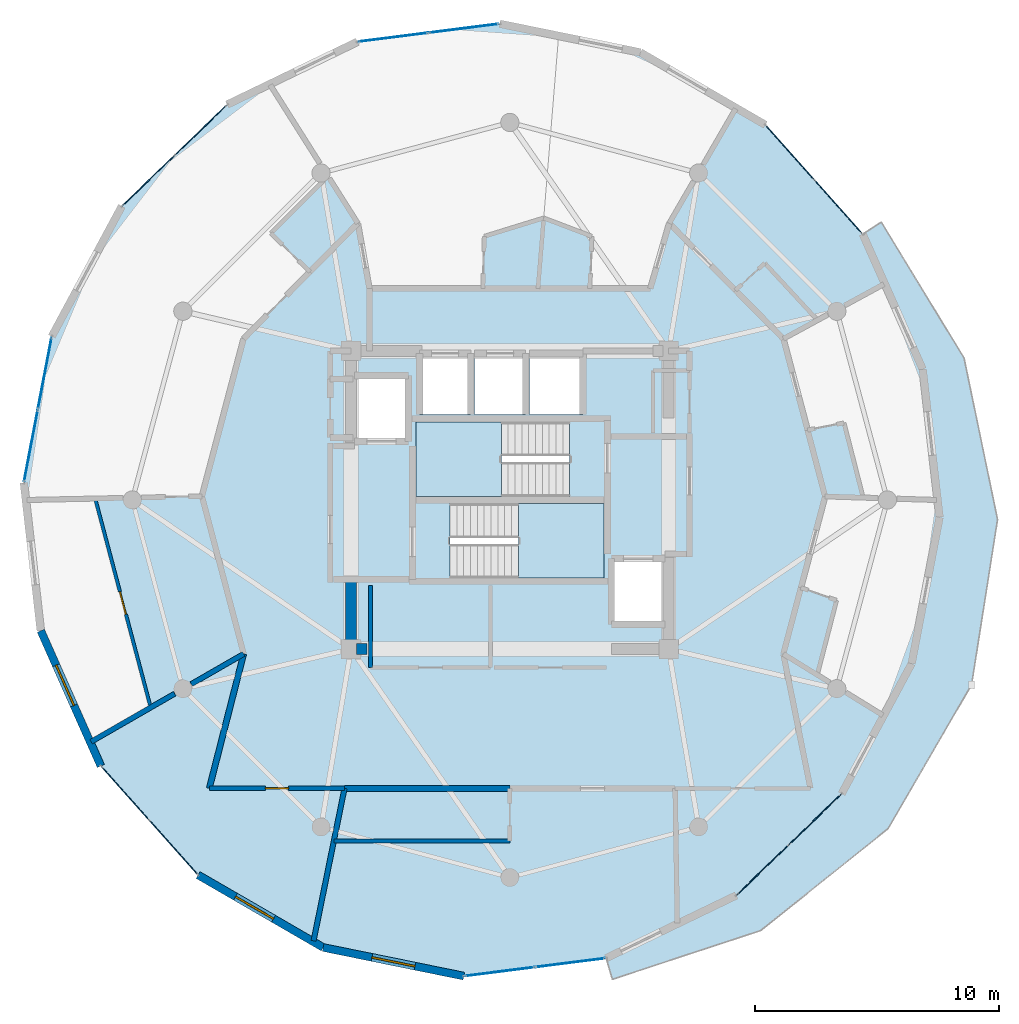
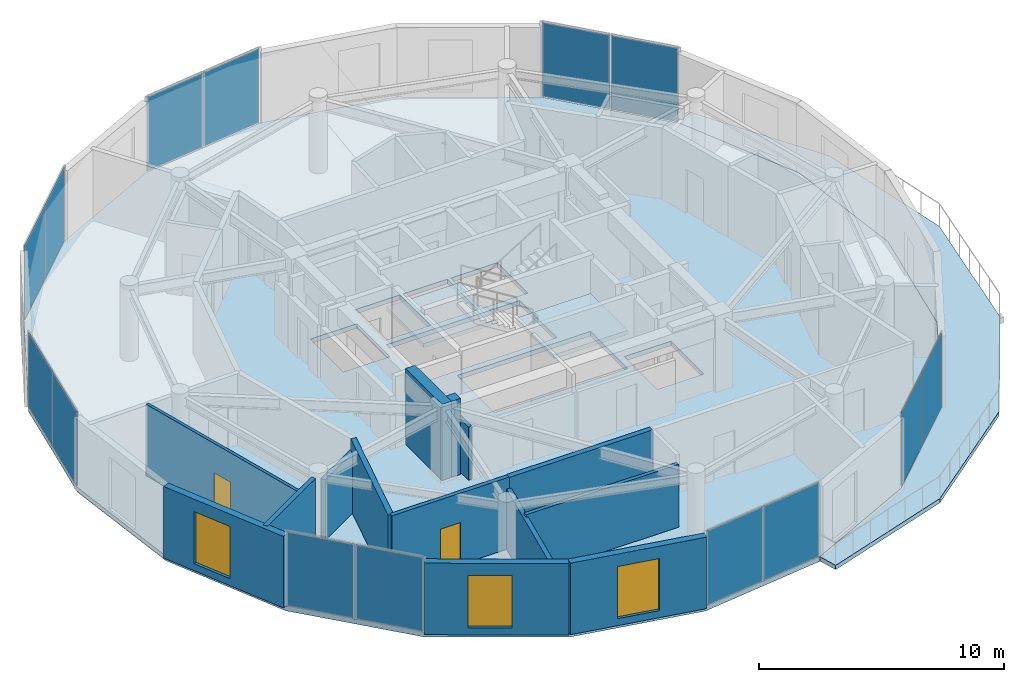
# One storey, part 17 of 23: 14 plates, 14 walls, 4 slabs, 3 windows, 2 doors, 5 openings, 9 elements without a shape of their own.
"""IFC4 building model written with IfcOpenShell, lengths in metres."""

from ifc_helpers import new_model, si_unit, direction, frame, frame_2d, origin, origin_2d, place, context, subcontext, project, spatial, polyline, rectangle, outline, extrude, source, transform, mapped, material, layer, layer_set, type_object, element, fill, aggregate, save


model = new_model("IFC4")

# Units and contexts
model_context = context("Model", 3, precision=1e-05, world=origin(), true_north=direction((0.0, 1.0)))
body_context = subcontext(model_context, "Body", "Model", "MODEL_VIEW")
ifc_project = project(units=[si_unit("LENGTHUNIT", "METRE"), si_unit("AREAUNIT", "SQUARE_METRE"), si_unit("VOLUMEUNIT", "CUBIC_METRE"), si_unit("PLANEANGLEUNIT", "RADIAN"), si_unit("MASSUNIT", "GRAM", prefix="KILO")], contexts=[model_context])

# Site, building, storey
site_placement = place(None, origin())
site = spatial("IfcSite", under=ifc_project, at=site_placement, CompositionType="ELEMENT")
building_placement = place(site_placement, origin())
building = spatial("IfcBuilding", under=site, at=building_placement, Name="Solvirekh Grand Hotel", CompositionType="ELEMENT")
storey_placement = place(building_placement, frame((0.0, 0.0, 285.800048828125)))
storey = spatial("IfcBuildingStorey", under=building, at=storey_placement, Name="L74", CompositionType="ELEMENT", Elevation=285.800048828125)

# Slab
ifc_material_1 = material(Name="Concrete C50/60", Category="concrete")
ifc_layer_1 = layer(ifc_material_1, 0.215087890625)
ifc_layer_set_1 = layer_set([ifc_layer_1], Name="Concrete C50/60")
slab_type_1 = type_object("IfcSlabType", Name="ExtCrescentBalc_215", PredefinedType="FLOOR", material=ifc_layer_set_1)
slab_1_placement = place(storey_placement, frame((0.0, 0.0, -0.215087890625)))
element("IfcSlab", 1, at=slab_1_placement, inside=storey, type_object=slab_type_1, Name="L74 sweeping crescent balcony slab", PredefinedType="FLOOR", context=body_context, shape_type="SweptSolid", body=[
    extrude(outline(polyline([(4.197021484375, -19.614013671875), (10.27001953125, -17.614990234375), (15.468017578125, -13.4560546875), (18.89306640625, -7.56201171875), (19.95703125, -0.7958984375), (18.5859375, 5.80810546875), (15.197021484375, 11.368896484375), (14.43994140625, 10.882080078125), (16.89697265625, 5.34912109375), (17.5869140625, -0.70703125), (16.443115234375, -6.694091796875), (13.575927734375, -12.02490234375), (9.26904296875, -16.179931640625), (3.94091796875, -18.7509765625), (4.197021484375, -19.614013671875)])), origin(), (0.0, 0.0, 1.0), 0.215087890625),
])

# Stair, slab
ifc_material_2 = material(Name="Concrete C40/50", Category="concrete")
stair_type = type_object("IfcStairType", Name="Stair_Core_1450", PredefinedType="HALF_TURN_STAIR", material=ifc_material_2)
stair_1_placement = place(storey_placement, origin())
stair_1 = element("IfcStair", 2, at=stair_1_placement, inside=storey, type_object=stair_type, Name="L74 Enclosed exit stair ST-1", PredefinedType="HALF_TURN_STAIR")
ifc_layer_2 = layer(ifc_material_2, 0.199951171875)
ifc_layer_set_2 = layer_set([ifc_layer_2], Name="Concrete C40/50")
slab_type_2 = type_object("IfcSlabType", Name="Landing_Stair_200", PredefinedType="LANDING", material=ifc_layer_set_2)
slab_2_placement = place(storey_placement, frame((0.0, 0.0, 1.699951171875)))
slab_2 = element("IfcSlab", 3, at=slab_2_placement, type_object=slab_type_2, Name="ST-1 landing 1", PredefinedType="LANDING", context=body_context, shape_type="SweptSolid", body=[
    extrude(outline(polyline([(0.35009765625, -3.199951171875), (3.85009765625, -3.199951171875), (3.85009765625, -0.14990234375), (0.35009765625, -0.14990234375), (0.35009765625, -3.199951171875)])), origin(), (0.0, 0.0, 1.0), 0.199951171875),
])
aggregate(stair_1, [slab_2])

stair_2_placement = place(storey_placement, origin())
stair_2 = element("IfcStair", 4, at=stair_2_placement, inside=storey, type_object=stair_type, Name="L74 Enclosed exit stair ST-2", PredefinedType="HALF_TURN_STAIR")
slab_3_placement = place(storey_placement, frame((0.0, 0.0, 1.699951171875)))
slab_3 = element("IfcSlab", 5, at=slab_3_placement, type_object=slab_type_2, Name="ST-2 landing 1", PredefinedType="LANDING", context=body_context, shape_type="SweptSolid", body=[
    extrude(outline(polyline([(-0.35009765625, 3.199951171875), (-3.85009765625, 3.199951171875), (-3.85009765625, 0.14990234375), (-0.35009765625, 0.14990234375), (-0.35009765625, 3.199951171875)])), origin(), (0.0, 0.0, 1.0), 0.199951171875),
])
aggregate(stair_2, [slab_3])

# Slab
ifc_layer_3 = layer(ifc_material_2, 0.22998046875)
ifc_layer_set_3 = layer_set([ifc_layer_3], Name="Concrete C40/50")
slab_type_3 = type_object("IfcSlabType", Name="Slab_GuestZ4_230", PredefinedType="FLOOR", material=ifc_layer_set_3)
slab_4_placement = place(storey_placement, frame((0.0, 0.0, -0.22998046875)))
element("IfcSlab", 6, at=slab_4_placement, inside=storey, type_object=slab_type_3, Name="L74 structural floor slab", PredefinedType="FLOOR", context=body_context, shape_type="SweptSolid", body=[
    extrude(outline(polyline([(-1.885009765625, -19.486083984375), (3.94091796875, -18.7509765625), (9.26904296875, -16.179931640625), (13.575927734375, -12.02490234375), (16.443115234375, -6.694091796875), (17.5869140625, -0.70703125), (16.89697265625, 5.34912109375), (14.43994140625, 10.882080078125), (10.4580078125, 15.34912109375), (5.339111328125, 18.31396484375), (-0.4150390625, 19.486083984375), (-6.240966796875, 18.7509765625), (-11.569091796875, 16.179931640625), (-15.8759765625, 12.02490234375), (-18.742919921875, 6.694091796875), (-19.886962890625, 0.70703125), (-19.197021484375, -5.34912109375), (-16.739990234375, -10.882080078125), (-12.758056640625, -15.34912109375), (-7.638916015625, -18.31396484375), (-1.885009765625, -19.486083984375)]), holes=[polyline([(-2.444091796875, -0.14990234375), (3.85009765625, -0.14990234375), (3.85009765625, -3.199951171875), (-2.444091796875, -3.199951171875), (-2.444091796875, -0.14990234375)]), polyline([(2.444091796875, 0.14990234375), (-3.85009765625, 0.14990234375), (-3.85009765625, 3.199951171875), (2.444091796875, 3.199951171875), (2.444091796875, 0.14990234375)]), polyline([(-3.699951171875, 6.0), (-1.60009765625, 6.0), (-1.60009765625, 3.5), (-3.699951171875, 3.5), (-3.699951171875, 6.0)]), polyline([(-1.449951171875, 6.0), (0.64990234375, 6.0), (0.64990234375, 3.5), (-1.449951171875, 3.5), (-1.449951171875, 6.0)]), polyline([(0.800048828125, 6.0), (3.0, 6.0), (3.0, 3.5), (0.800048828125, 3.5), (0.800048828125, 6.0)]), polyline([(-6.35009765625, 5.10009765625), (-4.14990234375, 5.10009765625), (-4.14990234375, 2.39990234375), (-6.35009765625, 2.39990234375), (-6.35009765625, 5.10009765625)]), polyline([(4.14990234375, -2.39990234375), (6.35009765625, -2.39990234375), (6.35009765625, -5.10009765625), (4.14990234375, -5.10009765625), (4.14990234375, -2.39990234375)])]), origin(), (0.0, 0.0, 1.0), 0.22998046875),
])

# Curtain wall, plates
ifc_material_3 = material(Name="Anodized Bronze Aluminium 6063-T6", Category="aluminium")
ifc_layer_4 = layer(ifc_material_3, 0.159912109375)
ifc_layer_set_4 = layer_set([ifc_layer_4], Name="Anodized Bronze Aluminium 6063-T6")
curtain_wall_type = type_object("IfcCurtainWallType", Name="CW_Sys4_HighZoneFlushBronzeCW", PredefinedType="NOTDEFINED", material=ifc_layer_set_4)
curtain_wall_1_placement = place(storey_placement, origin())
curtain_wall_1 = element("IfcCurtainWall", 7, at=curtain_wall_1_placement, inside=storey, type_object=curtain_wall_type, Name="L74 unitised bronze-glass curtain wall CW-L74-C03", PredefinedType="NOTDEFINED")
ifc_material_4 = material(Name="Low-E Tinted Bronze Laminated Glass", Category="aluminium")
ifc_layer_5 = layer(ifc_material_4, 0.033935546875)
ifc_layer_set_5 = layer_set([ifc_layer_5], Name="Low-E Tinted Bronze Laminated Glass")
plate_type = type_object("IfcPlateType", Name="CWPanel_High_34", PredefinedType="CURTAIN_PANEL", material=ifc_layer_set_5)
shared_shape_1 = source(origin(), body_context, "Body", "SweptSolid", [
    extrude(rectangle(XDim=2.90234375, YDim=0.033935546875, at=origin_2d()), origin(), (0.0, 0.0, 1.0), 3.68994140625),
])
plate_1_placement = place(storey_placement, frame((10.3564453125, -15.130859375, 0.054931640625), z_axis=(0.0, 0.0, 1.0), x_axis=(0.719692199951, 0.694293264644, 0.0)))
plate_1 = element("IfcPlate", 8, at=plate_1_placement, type_object=plate_type, Name="U04 panel 1.1", PredefinedType="CURTAIN_PANEL", context=body_context, shape_type="MappedRepresentation", body=[
    mapped(shared_shape_1, transform((0.0, 0.0, 0.0), x_axis=(1.0, 0.0, 0.0), y_axis=(0.0, 1.0, 0.0), z_axis=(0.0, 0.0, 1.0), scale=1.0)),
])
plate_2_placement = place(storey_placement, frame((12.488525390625, -13.07421875, 0.054931640625), z_axis=(0.0, 0.0, 1.0), x_axis=(0.719692199951, 0.694293264644, 0.0)))
plate_2 = element("IfcPlate", 9, at=plate_2_placement, type_object=plate_type, Name="U04 panel 2.1", PredefinedType="CURTAIN_PANEL", context=body_context, shape_type="MappedRepresentation", body=[
    mapped(shared_shape_1, transform((0.0, 0.0, 0.0), x_axis=(1.0, 0.0, 0.0), y_axis=(0.0, 1.0, 0.0), z_axis=(0.0, 0.0, 1.0), scale=1.0)),
])
aggregate(curtain_wall_1, [plate_1, plate_2])

curtain_wall_2_placement = place(storey_placement, origin())
curtain_wall_2 = element("IfcCurtainWall", 10, at=curtain_wall_2_placement, inside=storey, type_object=curtain_wall_type, Name="L74 unitised bronze-glass curtain wall CW-L74-C13", PredefinedType="NOTDEFINED")
plate_3_placement = place(storey_placement, frame((-12.656494140625, 15.130859375, 0.054931640625), z_axis=(0.0, 0.0, 1.0), x_axis=(-0.719692199951, -0.694293264644, 0.0)))
plate_3 = element("IfcPlate", 11, at=plate_3_placement, type_object=plate_type, Name="U04 panel 1.1", PredefinedType="CURTAIN_PANEL", context=body_context, shape_type="MappedRepresentation", body=[
    mapped(shared_shape_1, transform((0.0, 0.0, 0.0), x_axis=(1.0, 0.0, 0.0), y_axis=(0.0, 1.0, 0.0), z_axis=(0.0, 0.0, 1.0), scale=1.0)),
])
plate_4_placement = place(storey_placement, frame((-14.78857421875, 13.07421875, 0.054931640625), z_axis=(0.0, 0.0, 1.0), x_axis=(-0.719692199951, -0.694293264644, 0.0)))
plate_4 = element("IfcPlate", 12, at=plate_4_placement, type_object=plate_type, Name="U04 panel 2.1", PredefinedType="CURTAIN_PANEL", context=body_context, shape_type="MappedRepresentation", body=[
    mapped(shared_shape_1, transform((0.0, 0.0, 0.0), x_axis=(1.0, 0.0, 0.0), y_axis=(0.0, 1.0, 0.0), z_axis=(0.0, 0.0, 1.0), scale=1.0)),
])
aggregate(curtain_wall_2, [plate_3, plate_4])

curtain_wall_3_placement = place(storey_placement, origin())
curtain_wall_3 = element("IfcCurtainWall", 13, at=curtain_wall_3_placement, inside=storey, type_object=curtain_wall_type, Name="L74 unitised bronze-glass curtain wall CW-L74-C01", PredefinedType="NOTDEFINED")
shared_shape_2 = source(origin(), body_context, "Body", "SweptSolid", [
    extrude(rectangle(XDim=2.84619140625, YDim=0.033935546875, at=origin_2d()), origin(), (0.0, 0.0, 1.0), 3.68994140625),
])
plate_5_placement = place(storey_placement, frame((-0.41357421875, -19.30029296875, 0.054931640625), z_axis=(0.0, 0.0, 1.0), x_axis=(0.992135755808, 0.125166457357, 0.0)))
plate_5 = element("IfcPlate", 14, at=plate_5_placement, type_object=plate_type, Name="U04 panel 1.1", PredefinedType="CURTAIN_PANEL", context=body_context, shape_type="MappedRepresentation", body=[
    mapped(shared_shape_2, transform((0.0, 0.0, 0.0), x_axis=(1.0, 0.0, 0.0), y_axis=(0.0, 1.0, 0.0), z_axis=(0.0, 0.0, 1.0), scale=1.0)),
])
plate_6_placement = place(storey_placement, frame((2.4697265625, -18.9365234375, 0.054931640625), z_axis=(0.0, 0.0, 1.0), x_axis=(0.992135755808, 0.125166457357, 0.0)))
plate_6 = element("IfcPlate", 15, at=plate_6_placement, type_object=plate_type, Name="U04 panel 2.1", PredefinedType="CURTAIN_PANEL", context=body_context, shape_type="MappedRepresentation", body=[
    mapped(shared_shape_2, transform((0.0, 0.0, 0.0), x_axis=(1.0, 0.0, 0.0), y_axis=(0.0, 1.0, 0.0), z_axis=(0.0, 0.0, 1.0), scale=1.0)),
])
aggregate(curtain_wall_3, [plate_5, plate_6])

curtain_wall_4_placement = place(storey_placement, origin())
curtain_wall_4 = element("IfcCurtainWall", 16, at=curtain_wall_4_placement, inside=storey, type_object=curtain_wall_type, Name="L74 unitised bronze-glass curtain wall CW-L74-C11", PredefinedType="NOTDEFINED")
plate_7_placement = place(storey_placement, frame((-1.886474609375, 19.30029296875, 0.054931640625), z_axis=(0.0, 0.0, 1.0), x_axis=(-0.992135755808, -0.125166457357, 0.0)))
plate_7 = element("IfcPlate", 17, at=plate_7_placement, type_object=plate_type, Name="U04 panel 1.1", PredefinedType="CURTAIN_PANEL", context=body_context, shape_type="MappedRepresentation", body=[
    mapped(shared_shape_2, transform((0.0, 0.0, 0.0), x_axis=(1.0, 0.0, 0.0), y_axis=(0.0, 1.0, 0.0), z_axis=(0.0, 0.0, 1.0), scale=1.0)),
])
plate_8_placement = place(storey_placement, frame((-4.76953125, 18.9365234375, 0.054931640625), z_axis=(0.0, 0.0, 1.0), x_axis=(-0.992135755808, -0.125166457357, 0.0)))
plate_8 = element("IfcPlate", 18, at=plate_8_placement, type_object=plate_type, Name="U04 panel 2.1", PredefinedType="CURTAIN_PANEL", context=body_context, shape_type="MappedRepresentation", body=[
    mapped(shared_shape_2, transform((0.0, 0.0, 0.0), x_axis=(1.0, 0.0, 0.0), y_axis=(0.0, 1.0, 0.0), z_axis=(0.0, 0.0, 1.0), scale=1.0)),
])
aggregate(curtain_wall_4, [plate_7, plate_8])

curtain_wall_5_placement = place(storey_placement, origin())
curtain_wall_5 = element("IfcCurtainWall", 19, at=curtain_wall_5_placement, inside=storey, type_object=curtain_wall_type, Name="L74 unitised bronze-glass curtain wall CW-L74-C08", PredefinedType="NOTDEFINED")
shared_shape_3 = source(origin(), body_context, "Body", "SweptSolid", [
    extrude(rectangle(XDim=2.902099609375, YDim=0.033935546875, at=origin_2d()), origin(), (0.0, 0.0, 1.0), 3.68994140625),
])
plate_9_placement = place(storey_placement, frame((13.4345703125, 12.010009765625, 0.054931640625), z_axis=(0.0, 0.0, 1.0), x_axis=(-0.665421135114, 0.746468159364, 0.0)))
plate_9 = element("IfcPlate", 20, at=plate_9_placement, type_object=plate_type, Name="U04 panel 1.1", PredefinedType="CURTAIN_PANEL", context=body_context, shape_type="MappedRepresentation", body=[
    mapped(shared_shape_3, transform((0.0, 0.0, 0.0), x_axis=(1.0, 0.0, 0.0), y_axis=(0.0, 1.0, 0.0), z_axis=(0.0, 0.0, 1.0), scale=1.0)),
])
plate_10_placement = place(storey_placement, frame((11.46337890625, 14.220947265625, 0.054931640625), z_axis=(0.0, 0.0, 1.0), x_axis=(-0.665421135114, 0.746468159364, 0.0)))
plate_10 = element("IfcPlate", 21, at=plate_10_placement, type_object=plate_type, Name="U04 panel 2.1", PredefinedType="CURTAIN_PANEL", context=body_context, shape_type="MappedRepresentation", body=[
    mapped(shared_shape_3, transform((0.0, 0.0, 0.0), x_axis=(1.0, 0.0, 0.0), y_axis=(0.0, 1.0, 0.0), z_axis=(0.0, 0.0, 1.0), scale=1.0)),
])
aggregate(curtain_wall_5, [plate_9, plate_10])

curtain_wall_6_placement = place(storey_placement, origin())
curtain_wall_6 = element("IfcCurtainWall", 22, at=curtain_wall_6_placement, inside=storey, type_object=curtain_wall_type, Name="L74 unitised bronze-glass curtain wall CW-L74-C18", PredefinedType="NOTDEFINED")
plate_11_placement = place(storey_placement, frame((-15.734619140625, -12.010009765625, 0.054931640625), z_axis=(0.0, 0.0, 1.0), x_axis=(0.665421135114, -0.746468159364, 0.0)))
plate_11 = element("IfcPlate", 23, at=plate_11_placement, type_object=plate_type, Name="U04 panel 1.1", PredefinedType="CURTAIN_PANEL", context=body_context, shape_type="MappedRepresentation", body=[
    mapped(shared_shape_3, transform((0.0, 0.0, 0.0), x_axis=(1.0, 0.0, 0.0), y_axis=(0.0, 1.0, 0.0), z_axis=(0.0, 0.0, 1.0), scale=1.0)),
])
plate_12_placement = place(storey_placement, frame((-13.763427734375, -14.220947265625, 0.054931640625), z_axis=(0.0, 0.0, 1.0), x_axis=(0.665421135114, -0.746468159364, 0.0)))
plate_12 = element("IfcPlate", 24, at=plate_12_placement, type_object=plate_type, Name="U04 panel 2.1", PredefinedType="CURTAIN_PANEL", context=body_context, shape_type="MappedRepresentation", body=[
    mapped(shared_shape_3, transform((0.0, 0.0, 0.0), x_axis=(1.0, 0.0, 0.0), y_axis=(0.0, 1.0, 0.0), z_axis=(0.0, 0.0, 1.0), scale=1.0)),
])
aggregate(curtain_wall_6, [plate_11, plate_12])

curtain_wall_7_placement = place(storey_placement, origin())
curtain_wall_7 = element("IfcCurtainWall", 25, at=curtain_wall_7_placement, inside=storey, type_object=curtain_wall_type, Name="L74 unitised bronze-glass curtain wall CW-L74-C15", PredefinedType="NOTDEFINED")
shared_shape_4 = source(origin(), body_context, "Body", "SweptSolid", [
    extrude(rectangle(XDim=2.957763671875, YDim=0.033935546875, at=origin_2d()), origin(), (0.0, 0.0, 1.0), 3.68994140625),
])
plate_13_placement = place(storey_placement, frame((-19.03173828125, 5.1826171875, 0.054931640625), z_axis=(0.0, 0.0, 1.0), x_axis=(-0.187685030778, -0.982229265101, 0.0)))
plate_13 = element("IfcPlate", 26, at=plate_13_placement, type_object=plate_type, Name="U04 panel 1.1", PredefinedType="CURTAIN_PANEL", context=body_context, shape_type="MappedRepresentation", body=[
    mapped(shared_shape_4, transform((0.0, 0.0, 0.0), x_axis=(1.0, 0.0, 0.0), y_axis=(0.0, 1.0, 0.0), z_axis=(0.0, 0.0, 1.0), scale=1.0)),
])
plate_14_placement = place(storey_placement, frame((-19.59814453125, 2.218505859375, 0.054931640625), z_axis=(0.0, 0.0, 1.0), x_axis=(-0.187685030778, -0.982229265101, 0.0)))
plate_14 = element("IfcPlate", 27, at=plate_14_placement, type_object=plate_type, Name="U04 panel 2.1", PredefinedType="CURTAIN_PANEL", context=body_context, shape_type="MappedRepresentation", body=[
    mapped(shared_shape_4, transform((0.0, 0.0, 0.0), x_axis=(1.0, 0.0, 0.0), y_axis=(0.0, 1.0, 0.0), z_axis=(0.0, 0.0, 1.0), scale=1.0)),
])
aggregate(curtain_wall_7, [plate_13, plate_14])

# Walls
ifc_layer_6 = layer(ifc_material_1, 0.449951171875)
ifc_layer_set_6 = layer_set([ifc_layer_6], Name="Concrete C50/60")
wall_type_1 = type_object("IfcWallType", Name="CoreWall_RC450", PredefinedType="SHEAR", material=ifc_layer_set_6)
wall_1_placement = place(storey_placement, frame((-6.27490234375, -6.10009765625, 0.0), z_axis=(0.0, 0.0, 1.0), x_axis=(1.0, 0.0, 0.0)))
element("IfcWall", 28, at=wall_1_placement, inside=storey, type_object=wall_type_1, Name="L74 core corner shear wall SW-S", PredefinedType="SHEAR", context=body_context, shape_type="SweptSolid", body=[
    extrude(rectangle(XDim=0.4248046875, YDim=0.449951171875, at=frame_2d((0.21240234375, 0.0))), origin(), (0.0, 0.0, 1.0), 3.800048828125),
])
wall_2_placement = place(storey_placement, frame((-6.5, -6.324951171875, 0.0), z_axis=(0.0, 0.0, 1.0), x_axis=(0.0, 1.0, 0.0)))
element("IfcWall", 29, at=wall_2_placement, inside=storey, type_object=wall_type_1, Name="L74 core corner shear wall WS-W", PredefinedType="SHEAR", context=body_context, shape_type="SweptSolid", body=[
    extrude(rectangle(XDim=2.974853515625, YDim=0.449951171875, at=frame_2d((1.4873046875, 0.0))), origin(), (0.0, 0.0, 1.0), 3.800048828125),
])

# Wall, opening, window
ifc_material_5 = material(Name="Precast concrete C45/55", Category="concrete")
ifc_layer_7 = layer(ifc_material_5, 0.320068359375)
ifc_layer_set_7 = layer_set([ifc_layer_7], Name="Precast concrete C45/55")
wall_type_2 = type_object("IfcWallType", Name="ExtLobbyWall_RC320", PredefinedType="SOLIDWALL", material=ifc_layer_set_7)
wall_3_placement = place(storey_placement, frame((-16.739990234375, -10.882080078125, 0.0), z_axis=(0.0, 0.0, 1.0), x_axis=(-0.405854076471, 0.913937891004, 0.0)))
wall_3 = element("IfcWall", 30, at=wall_3_placement, inside=storey, type_object=wall_type_2, Name="L74 exterior structural wall chord 17", PredefinedType="SOLIDWALL", context=body_context, shape_type="SweptSolid", body=[
    extrude(rectangle(XDim=6.053955078125, YDim=0.320068359375, at=frame_2d((3.02685546875, 0.0))), origin(), (0.0, 0.0, 1.0), 3.570068359375),
])
opening_1_placement = place(wall_3_placement, frame((2.708984375, 0.0, 0.35009765625)))
opening_1 = element("IfcOpeningElement", 31, at=opening_1_placement, cuts=wall_3, Name="Opening W02", PredefinedType="OPENING", context=body_context, shape_type="SweptSolid", body=[
    extrude(rectangle(XDim=1.800048828125, YDim=2.60009765625, at=frame_2d((0.89990234375, 1.300048828125))), frame((0.0, 0.169921875, 0.0), z_axis=(0.0, -1.0, 0.0), x_axis=(1.0, 0.0, 0.0)), (0.0, 0.0, 1.0), 0.340087890625),
])
window_type = type_object("IfcWindowType", Name="Win_LobbyExt_1800X2600", PartitioningType="SINGLE_PANEL", PredefinedType="WINDOW", material=ifc_material_4)
window_1_placement = place(opening_1_placement, origin())
window_1 = element("IfcWindow", 32, at=window_1_placement, inside=storey, type_object=window_type, Name="L74 panoramic bronze-framed window 17", OverallHeight=2.60009765625, OverallWidth=1.800048828125, PartitioningType="SINGLE_PANEL", PredefinedType="WINDOW", context=body_context, shape_type="SweptSolid", body=[
    extrude(rectangle(XDim=1.800048828125, YDim=2.60009765625, at=frame_2d((0.89990234375, 1.300048828125))), frame((0.0, 0.030029296875, 0.0), z_axis=(0.0, -1.0, 0.0), x_axis=(1.0, 0.0, 0.0)), (0.0, 0.0, 1.0), 0.06005859375),
])
fill(opening_1, window_1)

wall_4_placement = place(storey_placement, frame((-7.638916015625, -18.31396484375, 0.0), z_axis=(0.0, 0.0, 1.0), x_axis=(-0.865343391722, 0.501179423363, 0.0)))
wall_4 = element("IfcWall", 33, at=wall_4_placement, inside=storey, type_object=wall_type_2, Name="L74 exterior structural wall chord 19", PredefinedType="SOLIDWALL", context=body_context, shape_type="SweptSolid", body=[
    extrude(rectangle(XDim=5.915771484375, YDim=0.320068359375, at=frame_2d((2.9580078125, 0.0))), origin(), (0.0, 0.0, 1.0), 3.570068359375),
])
opening_2_placement = place(wall_4_placement, frame((2.346923828125, 0.0, 0.35009765625)))
opening_2 = element("IfcOpeningElement", 34, at=opening_2_placement, cuts=wall_4, Name="Opening W02", PredefinedType="OPENING", context=body_context, shape_type="SweptSolid", body=[
    extrude(rectangle(XDim=1.800048828125, YDim=2.60009765625, at=frame_2d((0.89990234375, 1.300048828125))), frame((0.0, 0.169921875, 0.0), z_axis=(0.0, -1.0, 0.0), x_axis=(1.0, 0.0, 0.0)), (0.0, 0.0, 1.0), 0.340087890625),
])
window_2_placement = place(opening_2_placement, origin())
window_2 = element("IfcWindow", 35, at=window_2_placement, inside=storey, type_object=window_type, Name="L74 panoramic bronze-framed window 19", OverallHeight=2.60009765625, OverallWidth=1.800048828125, PartitioningType="SINGLE_PANEL", PredefinedType="WINDOW", context=body_context, shape_type="SweptSolid", body=[
    extrude(rectangle(XDim=1.800048828125, YDim=2.60009765625, at=frame_2d((0.89990234375, 1.300048828125))), frame((0.0, 0.030029296875, 0.0), z_axis=(0.0, -1.0, 0.0), x_axis=(1.0, 0.0, 0.0)), (0.0, 0.0, 1.0), 0.06005859375),
])
fill(opening_2, window_2)

wall_5_placement = place(storey_placement, frame((-1.885009765625, -19.486083984375, 0.0), z_axis=(0.0, 0.0, 1.0), x_axis=(-0.979875645158, 0.199608917702, 0.0)))
wall_5 = element("IfcWall", 36, at=wall_5_placement, inside=storey, type_object=wall_type_2, Name="L74 exterior structural wall chord 20", PredefinedType="SOLIDWALL", context=body_context, shape_type="SweptSolid", body=[
    extrude(rectangle(XDim=5.8720703125, YDim=0.320068359375, at=frame_2d((2.93603515625, 0.0))), origin(), (0.0, 0.0, 1.0), 3.570068359375),
])
opening_3_placement = place(wall_5_placement, frame((2.035888671875, 0.0, 0.35009765625)))
opening_3 = element("IfcOpeningElement", 37, at=opening_3_placement, cuts=wall_5, Name="Opening W02", PredefinedType="OPENING", context=body_context, shape_type="SweptSolid", body=[
    extrude(rectangle(XDim=1.800048828125, YDim=2.60009765625, at=frame_2d((0.89990234375, 1.300048828125))), frame((0.0, 0.169921875, 0.0), z_axis=(0.0, -1.0, 0.0), x_axis=(1.0, 0.0, 0.0)), (0.0, 0.0, 1.0), 0.340087890625),
])
window_3_placement = place(opening_3_placement, origin())
window_3 = element("IfcWindow", 38, at=window_3_placement, inside=storey, type_object=window_type, Name="L74 panoramic bronze-framed window 20", OverallHeight=2.60009765625, OverallWidth=1.800048828125, PartitioningType="SINGLE_PANEL", PredefinedType="WINDOW", context=body_context, shape_type="SweptSolid", body=[
    extrude(rectangle(XDim=1.800048828125, YDim=2.60009765625, at=frame_2d((0.89990234375, 1.300048828125))), frame((0.0, 0.030029296875, 0.0), z_axis=(0.0, -1.0, 0.0), x_axis=(1.0, 0.0, 0.0)), (0.0, 0.0, 1.0), 0.06005859375),
])
fill(opening_3, window_3)

# Walls
ifc_material_6 = material(Name="Acoustic Gypsum Partition Assembly")
ifc_layer_8 = layer(ifc_material_6, 0.1650390625)
ifc_layer_set_8 = layer_set([ifc_layer_8], Name="Acoustic Gypsum Partition Assembly")
wall_type_3 = type_object("IfcWallType", Name="Part_BOH_165", PredefinedType="PARTITIONING", material=ifc_layer_set_8)
wall_6_placement = place(storey_placement, frame((-5.699951171875, -3.5, 0.0), z_axis=(0.0, 0.0, 1.0), x_axis=(0.0, -1.0, 0.0)))
element("IfcWall", 39, at=wall_6_placement, inside=storey, type_object=wall_type_3, Name="L74 High-Zone Housekeeping Linen Room wall 4", PredefinedType="PARTITIONING", context=body_context, shape_type="SweptSolid", body=[
    extrude(rectangle(XDim=3.35009765625, YDim=0.1650390625, at=frame_2d((1.675048828125, 0.0))), origin(), (0.0, 0.0, 1.0), 2.655029296875),
])
ifc_layer_9 = layer(ifc_material_6, 0.239990234375)
ifc_layer_set_9 = layer_set([ifc_layer_9], Name="Acoustic Gypsum Partition Assembly")
wall_type_4 = type_object("IfcWallType", Name="Part_Corridor_240", PredefinedType="PARTITIONING", material=ifc_layer_set_9)
wall_7_placement = place(storey_placement, frame((-10.89208984375, -6.300048828125, 0.0), z_axis=(0.0, 0.0, 1.0), x_axis=(-0.247995630193, -0.968761150855, 0.0)))
element("IfcWall", 40, at=wall_7_placement, inside=storey, type_object=wall_type_4, Name="L74 L74 Imperial Belvedere Lounge corridor wall 1", PredefinedType="PARTITIONING", context=body_context, shape_type="SweptSolid", body=[
    extrude(rectangle(XDim=5.67724609375, YDim=0.239990234375, at=frame_2d((2.838623046875, 0.0))), origin(), (0.0, 0.0, 1.0), 3.570068359375),
])
wall_8_placement = place(storey_placement, frame((-6.764892578125, -11.800048828125, 0.0), z_axis=(0.0, 0.0, 1.0), x_axis=(1.0, 0.0, 0.0)))
element("IfcWall", 41, at=wall_8_placement, inside=storey, type_object=wall_type_4, Name="L74 En-suite Bathroom 7607 corridor backing wall", PredefinedType="PARTITIONING", context=body_context, shape_type="SweptSolid", body=[
    extrude(rectangle(XDim=6.764892578125, YDim=0.239990234375, at=frame_2d((3.38232421875, 0.0))), origin(), (0.0, 0.0, 1.0), 3.570068359375),
])

# Wall, opening, door
ifc_layer_10 = layer(ifc_material_6, 0.18994140625)
ifc_layer_set_10 = layer_set([ifc_layer_10], Name="Acoustic Gypsum Partition Assembly")
wall_type_5 = type_object("IfcWallType", Name="Part_GuestDemise_190", PredefinedType="PARTITIONING", material=ifc_layer_set_10)
wall_9_placement = place(storey_placement, frame((-12.300048828125, -11.800048828125, 0.0), z_axis=(0.0, 0.0, 1.0), x_axis=(1.0, 0.0, 0.0)))
wall_9 = element("IfcWall", 42, at=wall_9_placement, inside=storey, type_object=wall_type_5, Name="L74 L74 Imperial Belvedere Lounge entrance wall", PredefinedType="PARTITIONING", context=body_context, shape_type="SweptSolid", body=[
    extrude(rectangle(XDim=5.53515625, YDim=0.18994140625, at=frame_2d((2.767578125, 0.0))), origin(), (0.0, 0.0, 1.0), 3.570068359375),
])
opening_4_placement = place(wall_9_placement, frame((2.29296875, 0.0, 0.0)))
opening_4 = element("IfcOpeningElement", 43, at=opening_4_placement, cuts=wall_9, Name="Opening D10", PredefinedType="OPENING", context=body_context, shape_type="SweptSolid", body=[
    extrude(rectangle(XDim=0.949951171875, YDim=2.10009765625, at=frame_2d((0.47509765625, 1.050048828125))), frame((0.0, 0.10498046875, 0.0), z_axis=(0.0, -1.0, 0.0), x_axis=(1.0, 0.0, 0.0)), (0.0, 0.0, 1.0), 0.2099609375),
])
door_type = type_object("IfcDoorType", Name="Door_RoomInt_950X2100", OperationType="NOTDEFINED", PredefinedType="DOOR", material=ifc_material_3)
door_1_placement = place(opening_4_placement, origin())
door_1 = element("IfcDoor", 44, at=door_1_placement, inside=storey, type_object=door_type, Name="L74 L74 Imperial Belvedere Lounge entrance door", OperationType="SINGLE_SWING_LEFT", OverallHeight=2.10009765625, OverallWidth=0.949951171875, PredefinedType="DOOR", context=body_context, shape_type="SweptSolid", body=[
    extrude(rectangle(XDim=0.949951171875, YDim=2.10009765625, at=frame_2d((0.47509765625, 1.050048828125))), frame((0.0, 0.02490234375, 0.0), z_axis=(0.0, -1.0, 0.0), x_axis=(1.0, 0.0, 0.0)), (0.0, 0.0, 1.0), 0.050048828125),
])
fill(opening_4, door_1)

ifc_layer_11 = layer(ifc_material_6, 0.135009765625)
ifc_layer_set_11 = layer_set([ifc_layer_11], Name="Acoustic Gypsum Partition Assembly")
wall_type_6 = type_object("IfcWallType", Name="Part_RoomInt_135", PredefinedType="PARTITIONING", material=ifc_layer_set_11)
wall_10_placement = place(storey_placement, frame((-16.970947265625, 0.05810546875, 0.0), z_axis=(0.0, 0.0, 1.0), x_axis=(0.2566078117, -0.966515613415, 0.0)))
wall_10 = element("IfcWall", 45, at=wall_10_placement, inside=storey, type_object=wall_type_6, Name="L74 Diplomatic Suite 7603 Suite Foyer bedroom screen wall", PredefinedType="PARTITIONING", context=body_context, shape_type="SweptSolid", body=[
    extrude(rectangle(XDim=8.84619140625, YDim=0.135009765625, at=frame_2d((4.423095703125, 0.0))), origin(), (0.0, 0.0, 1.0), 3.570068359375),
])
opening_5_placement = place(wall_10_placement, frame((3.947998046875, 0.0, 0.0)))
opening_5 = element("IfcOpeningElement", 46, at=opening_5_placement, cuts=wall_10, Name="Opening D10", PredefinedType="OPENING", context=body_context, shape_type="SweptSolid", body=[
    extrude(rectangle(XDim=0.949951171875, YDim=2.10009765625, at=frame_2d((0.47509765625, 1.050048828125))), frame((0.0, 0.07763671875, 0.0), z_axis=(0.0, -1.0, 0.0), x_axis=(1.0, 0.0, 0.0)), (0.0, 0.0, 1.0), 0.155029296875),
])
door_2_placement = place(opening_5_placement, origin())
door_2 = element("IfcDoor", 47, at=door_2_placement, inside=storey, type_object=door_type, Name="L74 Diplomatic Suite 7603 Suite Foyer master bedroom door", OperationType="SINGLE_SWING_RIGHT", OverallHeight=2.10009765625, OverallWidth=0.949951171875, PredefinedType="DOOR", context=body_context, shape_type="SweptSolid", body=[
    extrude(rectangle(XDim=0.949951171875, YDim=2.10009765625, at=frame_2d((0.47509765625, 1.050048828125))), frame((0.0, 0.02490234375, 0.0), z_axis=(0.0, -1.0, 0.0), x_axis=(1.0, 0.0, 0.0)), (0.0, 0.0, 1.0), 0.050048828125),
])
fill(opening_5, door_2)

# Walls
ifc_layer_12 = layer(ifc_material_6, 0.2099609375)
ifc_layer_set_12 = layer_set([ifc_layer_12], Name="Acoustic Gypsum Partition Assembly")
wall_type_7 = type_object("IfcWallType", Name="Part_SuiteDemise_210", PredefinedType="PARTITIONING", material=ifc_layer_set_12)
wall_11_placement = place(storey_placement, frame((-10.89208984375, -6.300048828125, 0.0), z_axis=(0.0, 0.0, 1.0), x_axis=(-0.866768644494, -0.498710453993, 0.0)))
element("IfcWall", 48, at=wall_11_placement, inside=storey, type_object=wall_type_7, Name="L74 suite radial wall 8 (A)", PredefinedType="PARTITIONING", context=body_context, shape_type="SweptSolid", body=[
    extrude(rectangle(XDim=2.47216796875, YDim=0.2099609375, at=frame_2d((1.236083984375, 0.0))), origin(), (0.0, 0.0, 1.0), 3.010986328125),
])
wall_12_placement = place(storey_placement, frame((-13.718994140625, -7.927001953125, 0.0), z_axis=(0.0, 0.0, 1.0), x_axis=(-0.866764432385, -0.49871777465, 0.0)))
element("IfcWall", 49, at=wall_12_placement, inside=storey, type_object=wall_type_7, Name="L74 suite radial wall 8 (B)", PredefinedType="PARTITIONING", context=body_context, shape_type="SweptSolid", body=[
    extrude(rectangle(XDim=3.942138671875, YDim=0.2099609375, at=frame_2d((1.97119140625, 0.0))), origin(), (0.0, 0.0, 1.0), 3.570068359375),
])
wall_13_placement = place(storey_placement, frame((-6.764892578125, -11.800048828125, 0.0), z_axis=(0.0, 0.0, 1.0), x_axis=(-0.198998359894, -0.979999822837, 0.0)))
element("IfcWall", 50, at=wall_13_placement, inside=storey, type_object=wall_type_7, Name="L74 L74 Imperial Belvedere Lounge dividing partition 1", PredefinedType="PARTITIONING", context=body_context, shape_type="SweptSolid", body=[
    extrude(rectangle(XDim=6.367431640625, YDim=0.2099609375, at=frame_2d((3.18359375, 0.0))), origin(), (0.0, 0.0, 1.0), 3.010986328125),
])
ifc_layer_13 = layer(ifc_material_6, 0.175048828125)
ifc_layer_set_13 = layer_set([ifc_layer_13], Name="Acoustic Gypsum Partition Assembly")
wall_type_8 = type_object("IfcWallType", Name="Plumb_Ensuite_175", PredefinedType="PLUMBINGWALL", material=ifc_layer_set_13)
wall_14_placement = place(storey_placement, frame((-7.202880859375, -13.9560546875, 0.0), z_axis=(0.0, 0.0, 1.0), x_axis=(1.0, 0.0, 0.0)))
element("IfcWall", 51, at=wall_14_placement, inside=storey, type_object=wall_type_8, Name="L74 En-suite Bathroom 7607 outer plumbing wall", PredefinedType="PLUMBINGWALL", context=body_context, shape_type="SweptSolid", body=[
    extrude(rectangle(XDim=7.202880859375, YDim=0.175048828125, at=frame_2d((3.6015625, 0.0))), origin(), (0.0, 0.0, 1.0), 3.136962890625),
])

save(model, "model.ifc")
